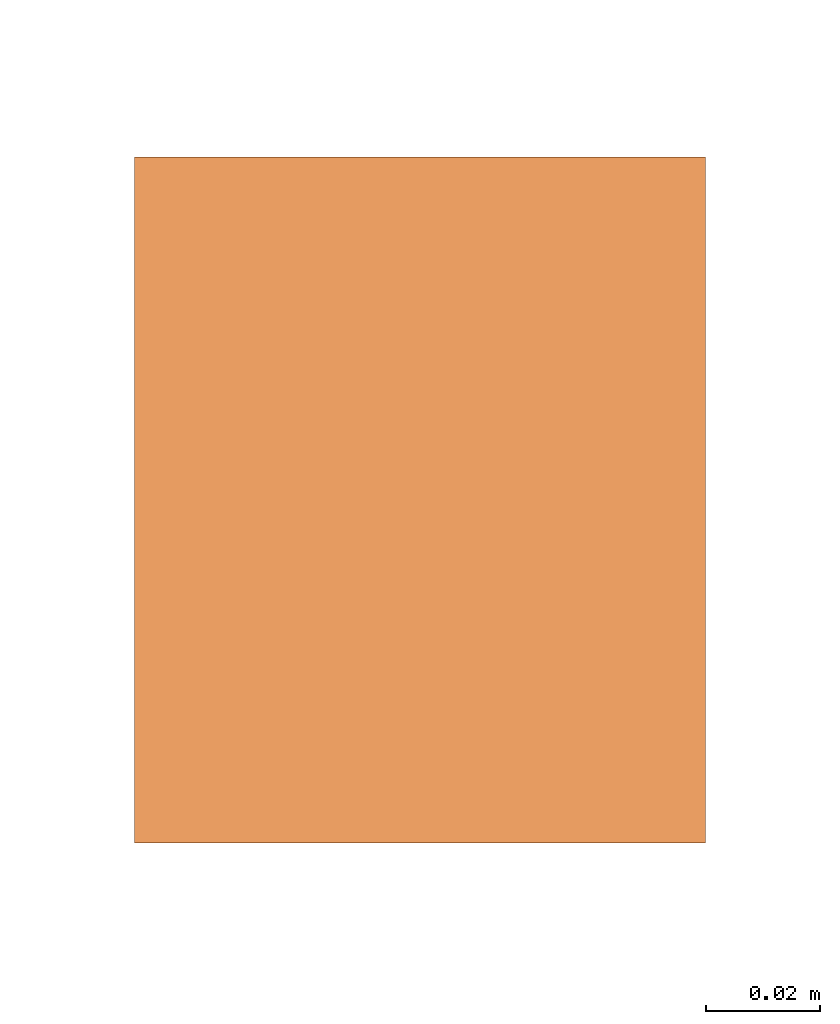
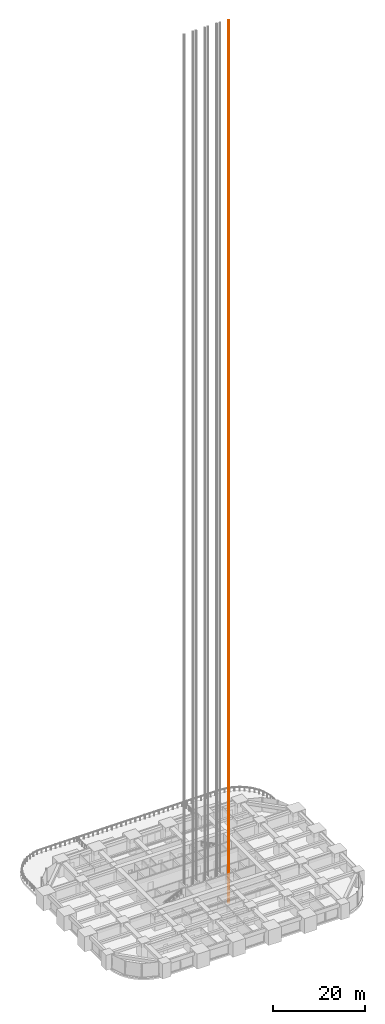
# One storey, part 50 of 50: 1 proxy.
"""IFC4 building model written with IfcOpenShell, lengths in metres."""

from ifc_helpers import new_model, si_unit, direction, frame, origin, origin_2d, place, context, subcontext, project, spatial, rectangle, extrude, element, save


model = new_model("IFC4")

# Units and contexts
model_context = context("Model", 3, precision=1e-05, world=origin(), true_north=direction((0.0, 1.0)))
body_context = subcontext(model_context, "Body", "Model", "MODEL_VIEW")
ifc_project = project(units=[si_unit("LENGTHUNIT", "METRE"), si_unit("AREAUNIT", "SQUARE_METRE"), si_unit("VOLUMEUNIT", "CUBIC_METRE"), si_unit("PLANEANGLEUNIT", "RADIAN"), si_unit("MASSUNIT", "GRAM", prefix="KILO")], contexts=[model_context])

# Site, building, storey
site_placement = place(None, origin())
site = spatial("IfcSite", under=ifc_project, at=site_placement, CompositionType="ELEMENT")
building_placement = place(site_placement, origin())
building = spatial("IfcBuilding", under=site, at=building_placement, Name="Zorevar Civic Tower", CompositionType="ELEMENT")
storey_placement = place(building_placement, frame((0.0, 0.0, 85.0)))
storey = spatial("IfcBuildingStorey", under=building, at=storey_placement, Name="L20", CompositionType="ELEMENT", Elevation=85.0)

# Proxy
proxy_placement = place(storey_placement, frame((38.60009765625, 23.10009765625, -5.0), z_axis=(0.0, 0.0, 1.0), x_axis=(1.0, 0.0, 0.0)))
element("IfcBuildingElementProxy", 1, at=proxy_placement, inside=storey, Name="Passenger lift LT4 guide rail 2", PredefinedType="NOTDEFINED", context=body_context, shape_type="SweptSolid", body=[
    extrude(rectangle(XDim=0.10009765625, YDim=0.1201171875, at=origin_2d()), origin(), (0.0, 0.0, 1.0), 235.300048828125),
])

save(model, "model.ifc")
